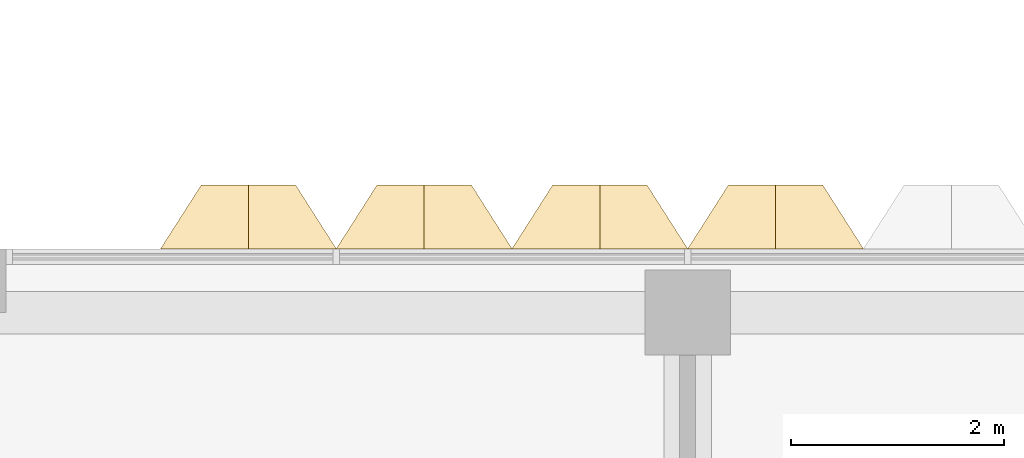
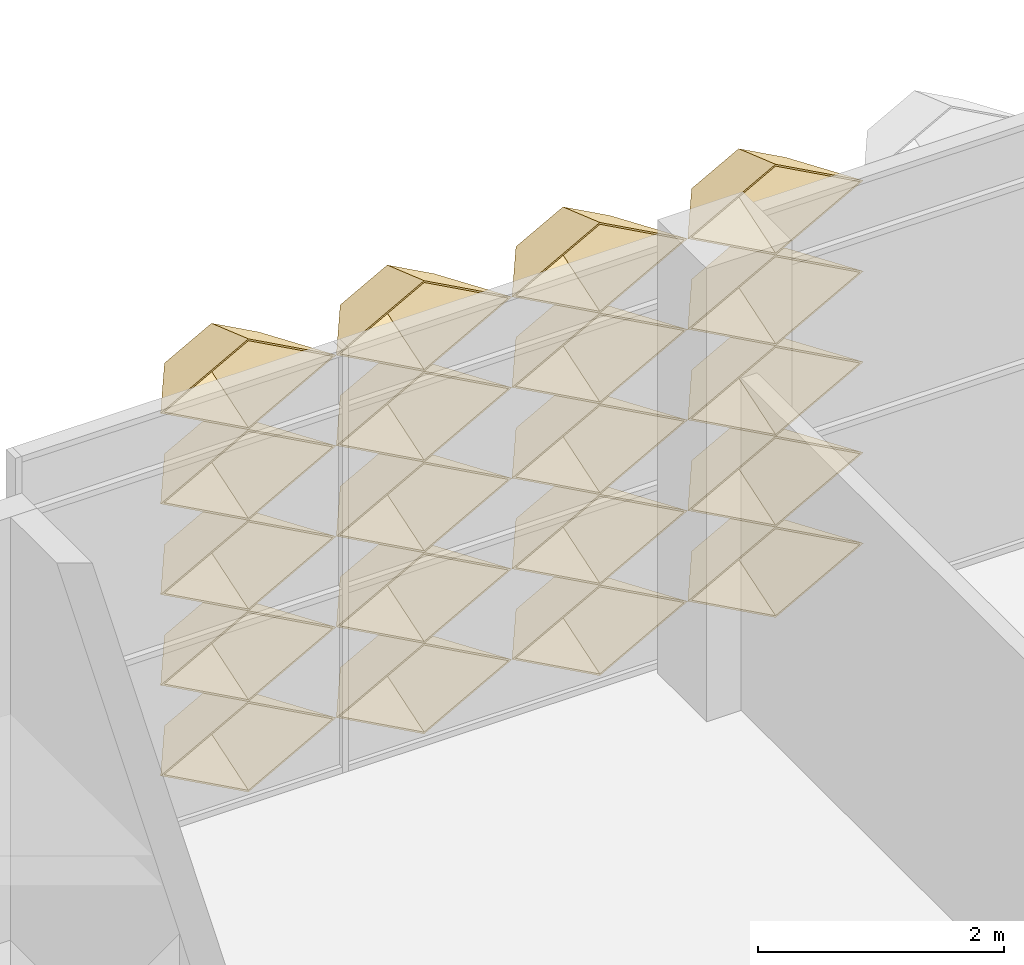
# One storey, part 49 of 87: 20 coverings.
"""IFC4 building model written with IfcOpenShell, lengths in metres."""

from ifc_helpers import new_model, entity, si_unit, direction, frame, origin, place, context, subcontext, project, spatial, material, layer, layer_set, type_object, element, save


model = new_model("IFC4")

# Units and contexts
model_context = context("Model", 3, precision=1e-05, world=origin(), true_north=direction((0.0, 1.0)))
body_context = subcontext(model_context, "Body", "Model", "MODEL_VIEW")
ifc_project = project(units=[si_unit("LENGTHUNIT", "METRE"), si_unit("AREAUNIT", "SQUARE_METRE"), si_unit("VOLUMEUNIT", "CUBIC_METRE"), si_unit("PLANEANGLEUNIT", "RADIAN"), si_unit("MASSUNIT", "GRAM", prefix="KILO")], contexts=[model_context])

# Site, building, storey
site_placement = place(None, origin())
site = spatial("IfcSite", under=ifc_project, at=site_placement, CompositionType="ELEMENT")
building_placement = place(site_placement, origin())
building = spatial("IfcBuilding", under=site, at=building_placement, Name="Lantern Court Research Institute", CompositionType="ELEMENT")
storey_placement = place(building_placement, frame((0.0, 0.0, 5.39990234375)))
storey = spatial("IfcBuildingStorey", under=building, at=storey_placement, Name="L01", CompositionType="ELEMENT", Elevation=5.39990234375)

# Coverings
ifc_material = material(Name="Anodised aluminium", Category="aluminium")
ifc_layer = layer(ifc_material, 0.01611328125)
ifc_layer_set = layer_set([ifc_layer], Name="Anodised aluminium")
covering_type = type_object("IfcCoveringType", Name="Fin cassette 1650 x 900 x 600 aluminium", PredefinedType="CLADDING", material=ifc_layer_set)
covering_1_placement = place(storey_placement, frame((9.074951171875, 23.699951171875, 0.4501953125), z_axis=(0.0, 1.0, 0.0), x_axis=(-1.0, 0.0, 0.0)))
cartesian_point_1 = entity("IfcCartesianPoint", [0.824951171875, 0.0])
cartesian_point_2 = entity("IfcCartesianPoint", [0.79150390625, 0.0])
cartesian_point_3 = entity("IfcCartesianPoint", [0.44189453125, 0.0])
cartesian_point_4 = entity("IfcCartesianPoint", [0.43359375, 0.0])
element("IfcCovering", 1, at=covering_1_placement, inside=storey, type_object=covering_type, Name="Fin cassette V4N-L01 1.6", PredefinedType="CLADDING", context=body_context, shape_type="SweptSolid", body=[
    entity("IfcExtrudedAreaSolidTapered", entity("IfcArbitraryProfileDefWithVoids", "AREA", None, entity("IfcPolyline", [cartesian_point_1, entity("IfcCartesianPoint", [0.0, 0.449951171875]), entity("IfcCartesianPoint", [-0.824951171875, 0.0]), entity("IfcCartesianPoint", [0.0, -0.449951171875]), cartesian_point_1]), [entity("IfcPolyline", [cartesian_point_2, entity("IfcCartesianPoint", [0.0, 0.431884765625]), entity("IfcCartesianPoint", [-0.79150390625, 0.0]), entity("IfcCartesianPoint", [0.0, -0.431884765625]), cartesian_point_2])]), entity("IfcAxis2Placement3D", entity("IfcCartesianPoint", [0.0, 0.0, 0.0])), entity("IfcDirection", [0.0, 0.0, 1.0]), 0.60009765625, entity("IfcArbitraryProfileDefWithVoids", "AREA", None, entity("IfcPolyline", [cartesian_point_3, entity("IfcCartesianPoint", [0.0, 0.240966796875]), entity("IfcCartesianPoint", [-0.44189453125, 0.0]), entity("IfcCartesianPoint", [0.0, -0.240966796875]), cartesian_point_3]), [entity("IfcPolyline", [cartesian_point_4, entity("IfcCartesianPoint", [0.0, 0.236572265625]), entity("IfcCartesianPoint", [-0.43359375, 0.0]), entity("IfcCartesianPoint", [0.0, -0.236572265625]), cartesian_point_4])])),
])
covering_2_placement = place(storey_placement, frame((10.72509765625, 23.699951171875, 0.4501953125), z_axis=(0.0, 1.0, 0.0), x_axis=(-1.0, 0.0, 0.0)))
cartesian_point_5 = entity("IfcCartesianPoint", [0.824951171875, 0.0])
cartesian_point_6 = entity("IfcCartesianPoint", [0.79150390625, 0.0])
cartesian_point_7 = entity("IfcCartesianPoint", [0.44189453125, 0.0])
cartesian_point_8 = entity("IfcCartesianPoint", [0.43359375, 0.0])
element("IfcCovering", 2, at=covering_2_placement, inside=storey, type_object=covering_type, Name="Fin cassette V4N-L01 1.7", PredefinedType="CLADDING", context=body_context, shape_type="SweptSolid", body=[
    entity("IfcExtrudedAreaSolidTapered", entity("IfcArbitraryProfileDefWithVoids", "AREA", None, entity("IfcPolyline", [cartesian_point_5, entity("IfcCartesianPoint", [0.0, 0.449951171875]), entity("IfcCartesianPoint", [-0.824951171875, 0.0]), entity("IfcCartesianPoint", [0.0, -0.449951171875]), cartesian_point_5]), [entity("IfcPolyline", [cartesian_point_6, entity("IfcCartesianPoint", [0.0, 0.431884765625]), entity("IfcCartesianPoint", [-0.79150390625, 0.0]), entity("IfcCartesianPoint", [0.0, -0.431884765625]), cartesian_point_6])]), entity("IfcAxis2Placement3D", entity("IfcCartesianPoint", [0.0, 0.0, 0.0])), entity("IfcDirection", [0.0, 0.0, 1.0]), 0.60009765625, entity("IfcArbitraryProfileDefWithVoids", "AREA", None, entity("IfcPolyline", [cartesian_point_7, entity("IfcCartesianPoint", [0.0, 0.240966796875]), entity("IfcCartesianPoint", [-0.44189453125, 0.0]), entity("IfcCartesianPoint", [0.0, -0.240966796875]), cartesian_point_7]), [entity("IfcPolyline", [cartesian_point_8, entity("IfcCartesianPoint", [0.0, 0.236572265625]), entity("IfcCartesianPoint", [-0.43359375, 0.0]), entity("IfcCartesianPoint", [0.0, -0.236572265625]), cartesian_point_8])])),
])
covering_3_placement = place(storey_placement, frame((12.375, 23.699951171875, 0.4501953125), z_axis=(0.0, 1.0, 0.0), x_axis=(-1.0, 0.0, 0.0)))
cartesian_point_9 = entity("IfcCartesianPoint", [0.824951171875, 0.0])
cartesian_point_10 = entity("IfcCartesianPoint", [0.79150390625, 0.0])
cartesian_point_11 = entity("IfcCartesianPoint", [0.44189453125, 0.0])
cartesian_point_12 = entity("IfcCartesianPoint", [0.43359375, 0.0])
element("IfcCovering", 3, at=covering_3_placement, inside=storey, type_object=covering_type, Name="Fin cassette V4N-L01 1.8", PredefinedType="CLADDING", context=body_context, shape_type="SweptSolid", body=[
    entity("IfcExtrudedAreaSolidTapered", entity("IfcArbitraryProfileDefWithVoids", "AREA", None, entity("IfcPolyline", [cartesian_point_9, entity("IfcCartesianPoint", [0.0, 0.449951171875]), entity("IfcCartesianPoint", [-0.824951171875, 0.0]), entity("IfcCartesianPoint", [0.0, -0.449951171875]), cartesian_point_9]), [entity("IfcPolyline", [cartesian_point_10, entity("IfcCartesianPoint", [0.0, 0.431884765625]), entity("IfcCartesianPoint", [-0.79150390625, 0.0]), entity("IfcCartesianPoint", [0.0, -0.431884765625]), cartesian_point_10])]), entity("IfcAxis2Placement3D", entity("IfcCartesianPoint", [0.0, 0.0, 0.0])), entity("IfcDirection", [0.0, 0.0, 1.0]), 0.60009765625, entity("IfcArbitraryProfileDefWithVoids", "AREA", None, entity("IfcPolyline", [cartesian_point_11, entity("IfcCartesianPoint", [0.0, 0.240966796875]), entity("IfcCartesianPoint", [-0.44189453125, 0.0]), entity("IfcCartesianPoint", [0.0, -0.240966796875]), cartesian_point_11]), [entity("IfcPolyline", [cartesian_point_12, entity("IfcCartesianPoint", [0.0, 0.236572265625]), entity("IfcCartesianPoint", [-0.43359375, 0.0]), entity("IfcCartesianPoint", [0.0, -0.236572265625]), cartesian_point_12])])),
])
covering_4_placement = place(storey_placement, frame((14.02490234375, 23.699951171875, 0.4501953125), z_axis=(0.0, 1.0, 0.0), x_axis=(-1.0, 0.0, 0.0)))
cartesian_point_13 = entity("IfcCartesianPoint", [0.824951171875, 0.0])
cartesian_point_14 = entity("IfcCartesianPoint", [0.79150390625, 0.0])
cartesian_point_15 = entity("IfcCartesianPoint", [0.44189453125, 0.0])
cartesian_point_16 = entity("IfcCartesianPoint", [0.43359375, 0.0])
element("IfcCovering", 4, at=covering_4_placement, inside=storey, type_object=covering_type, Name="Fin cassette V4N-L01 1.9", PredefinedType="CLADDING", context=body_context, shape_type="SweptSolid", body=[
    entity("IfcExtrudedAreaSolidTapered", entity("IfcArbitraryProfileDefWithVoids", "AREA", None, entity("IfcPolyline", [cartesian_point_13, entity("IfcCartesianPoint", [0.0, 0.449951171875]), entity("IfcCartesianPoint", [-0.824951171875, 0.0]), entity("IfcCartesianPoint", [0.0, -0.449951171875]), cartesian_point_13]), [entity("IfcPolyline", [cartesian_point_14, entity("IfcCartesianPoint", [0.0, 0.431884765625]), entity("IfcCartesianPoint", [-0.79150390625, 0.0]), entity("IfcCartesianPoint", [0.0, -0.431884765625]), cartesian_point_14])]), entity("IfcAxis2Placement3D", entity("IfcCartesianPoint", [0.0, 0.0, 0.0])), entity("IfcDirection", [0.0, 0.0, 1.0]), 0.60009765625, entity("IfcArbitraryProfileDefWithVoids", "AREA", None, entity("IfcPolyline", [cartesian_point_15, entity("IfcCartesianPoint", [0.0, 0.240966796875]), entity("IfcCartesianPoint", [-0.44189453125, 0.0]), entity("IfcCartesianPoint", [0.0, -0.240966796875]), cartesian_point_15]), [entity("IfcPolyline", [cartesian_point_16, entity("IfcCartesianPoint", [0.0, 0.236572265625]), entity("IfcCartesianPoint", [-0.43359375, 0.0]), entity("IfcCartesianPoint", [0.0, -0.236572265625]), cartesian_point_16])])),
])
covering_5_placement = place(storey_placement, frame((9.074951171875, 23.699951171875, 1.35009765625), z_axis=(0.0, 1.0, 0.0), x_axis=(-1.0, 0.0, 0.0)))
cartesian_point_17 = entity("IfcCartesianPoint", [0.824951171875, 0.0])
cartesian_point_18 = entity("IfcCartesianPoint", [0.79150390625, 0.0])
cartesian_point_19 = entity("IfcCartesianPoint", [0.44189453125, 0.0])
cartesian_point_20 = entity("IfcCartesianPoint", [0.43359375, 0.0])
element("IfcCovering", 5, at=covering_5_placement, inside=storey, type_object=covering_type, Name="Fin cassette V4N-L01 2.6", PredefinedType="CLADDING", context=body_context, shape_type="SweptSolid", body=[
    entity("IfcExtrudedAreaSolidTapered", entity("IfcArbitraryProfileDefWithVoids", "AREA", None, entity("IfcPolyline", [cartesian_point_17, entity("IfcCartesianPoint", [0.0, 0.449951171875]), entity("IfcCartesianPoint", [-0.824951171875, 0.0]), entity("IfcCartesianPoint", [0.0, -0.449951171875]), cartesian_point_17]), [entity("IfcPolyline", [cartesian_point_18, entity("IfcCartesianPoint", [0.0, 0.431884765625]), entity("IfcCartesianPoint", [-0.79150390625, 0.0]), entity("IfcCartesianPoint", [0.0, -0.431884765625]), cartesian_point_18])]), entity("IfcAxis2Placement3D", entity("IfcCartesianPoint", [0.0, 0.0, 0.0])), entity("IfcDirection", [0.0, 0.0, 1.0]), 0.60009765625, entity("IfcArbitraryProfileDefWithVoids", "AREA", None, entity("IfcPolyline", [cartesian_point_19, entity("IfcCartesianPoint", [0.0, 0.240966796875]), entity("IfcCartesianPoint", [-0.44189453125, 0.0]), entity("IfcCartesianPoint", [0.0, -0.240966796875]), cartesian_point_19]), [entity("IfcPolyline", [cartesian_point_20, entity("IfcCartesianPoint", [0.0, 0.236572265625]), entity("IfcCartesianPoint", [-0.43359375, 0.0]), entity("IfcCartesianPoint", [0.0, -0.236572265625]), cartesian_point_20])])),
])
covering_6_placement = place(storey_placement, frame((10.72509765625, 23.699951171875, 1.35009765625), z_axis=(0.0, 1.0, 0.0), x_axis=(-1.0, 0.0, 0.0)))
cartesian_point_21 = entity("IfcCartesianPoint", [0.824951171875, 0.0])
cartesian_point_22 = entity("IfcCartesianPoint", [0.79150390625, 0.0])
cartesian_point_23 = entity("IfcCartesianPoint", [0.44189453125, 0.0])
cartesian_point_24 = entity("IfcCartesianPoint", [0.43359375, 0.0])
element("IfcCovering", 6, at=covering_6_placement, inside=storey, type_object=covering_type, Name="Fin cassette V4N-L01 2.7", PredefinedType="CLADDING", context=body_context, shape_type="SweptSolid", body=[
    entity("IfcExtrudedAreaSolidTapered", entity("IfcArbitraryProfileDefWithVoids", "AREA", None, entity("IfcPolyline", [cartesian_point_21, entity("IfcCartesianPoint", [0.0, 0.449951171875]), entity("IfcCartesianPoint", [-0.824951171875, 0.0]), entity("IfcCartesianPoint", [0.0, -0.449951171875]), cartesian_point_21]), [entity("IfcPolyline", [cartesian_point_22, entity("IfcCartesianPoint", [0.0, 0.431884765625]), entity("IfcCartesianPoint", [-0.79150390625, 0.0]), entity("IfcCartesianPoint", [0.0, -0.431884765625]), cartesian_point_22])]), entity("IfcAxis2Placement3D", entity("IfcCartesianPoint", [0.0, 0.0, 0.0])), entity("IfcDirection", [0.0, 0.0, 1.0]), 0.60009765625, entity("IfcArbitraryProfileDefWithVoids", "AREA", None, entity("IfcPolyline", [cartesian_point_23, entity("IfcCartesianPoint", [0.0, 0.240966796875]), entity("IfcCartesianPoint", [-0.44189453125, 0.0]), entity("IfcCartesianPoint", [0.0, -0.240966796875]), cartesian_point_23]), [entity("IfcPolyline", [cartesian_point_24, entity("IfcCartesianPoint", [0.0, 0.236572265625]), entity("IfcCartesianPoint", [-0.43359375, 0.0]), entity("IfcCartesianPoint", [0.0, -0.236572265625]), cartesian_point_24])])),
])
covering_7_placement = place(storey_placement, frame((12.375, 23.699951171875, 1.35009765625), z_axis=(0.0, 1.0, 0.0), x_axis=(-1.0, 0.0, 0.0)))
cartesian_point_25 = entity("IfcCartesianPoint", [0.824951171875, 0.0])
cartesian_point_26 = entity("IfcCartesianPoint", [0.79150390625, 0.0])
cartesian_point_27 = entity("IfcCartesianPoint", [0.44189453125, 0.0])
cartesian_point_28 = entity("IfcCartesianPoint", [0.43359375, 0.0])
element("IfcCovering", 7, at=covering_7_placement, inside=storey, type_object=covering_type, Name="Fin cassette V4N-L01 2.8", PredefinedType="CLADDING", context=body_context, shape_type="SweptSolid", body=[
    entity("IfcExtrudedAreaSolidTapered", entity("IfcArbitraryProfileDefWithVoids", "AREA", None, entity("IfcPolyline", [cartesian_point_25, entity("IfcCartesianPoint", [0.0, 0.449951171875]), entity("IfcCartesianPoint", [-0.824951171875, 0.0]), entity("IfcCartesianPoint", [0.0, -0.449951171875]), cartesian_point_25]), [entity("IfcPolyline", [cartesian_point_26, entity("IfcCartesianPoint", [0.0, 0.431884765625]), entity("IfcCartesianPoint", [-0.79150390625, 0.0]), entity("IfcCartesianPoint", [0.0, -0.431884765625]), cartesian_point_26])]), entity("IfcAxis2Placement3D", entity("IfcCartesianPoint", [0.0, 0.0, 0.0])), entity("IfcDirection", [0.0, 0.0, 1.0]), 0.60009765625, entity("IfcArbitraryProfileDefWithVoids", "AREA", None, entity("IfcPolyline", [cartesian_point_27, entity("IfcCartesianPoint", [0.0, 0.240966796875]), entity("IfcCartesianPoint", [-0.44189453125, 0.0]), entity("IfcCartesianPoint", [0.0, -0.240966796875]), cartesian_point_27]), [entity("IfcPolyline", [cartesian_point_28, entity("IfcCartesianPoint", [0.0, 0.236572265625]), entity("IfcCartesianPoint", [-0.43359375, 0.0]), entity("IfcCartesianPoint", [0.0, -0.236572265625]), cartesian_point_28])])),
])
covering_8_placement = place(storey_placement, frame((14.02490234375, 23.699951171875, 1.35009765625), z_axis=(0.0, 1.0, 0.0), x_axis=(-1.0, 0.0, 0.0)))
cartesian_point_29 = entity("IfcCartesianPoint", [0.824951171875, 0.0])
cartesian_point_30 = entity("IfcCartesianPoint", [0.79150390625, 0.0])
cartesian_point_31 = entity("IfcCartesianPoint", [0.44189453125, 0.0])
cartesian_point_32 = entity("IfcCartesianPoint", [0.43359375, 0.0])
element("IfcCovering", 8, at=covering_8_placement, inside=storey, type_object=covering_type, Name="Fin cassette V4N-L01 2.9", PredefinedType="CLADDING", context=body_context, shape_type="SweptSolid", body=[
    entity("IfcExtrudedAreaSolidTapered", entity("IfcArbitraryProfileDefWithVoids", "AREA", None, entity("IfcPolyline", [cartesian_point_29, entity("IfcCartesianPoint", [0.0, 0.449951171875]), entity("IfcCartesianPoint", [-0.824951171875, 0.0]), entity("IfcCartesianPoint", [0.0, -0.449951171875]), cartesian_point_29]), [entity("IfcPolyline", [cartesian_point_30, entity("IfcCartesianPoint", [0.0, 0.431884765625]), entity("IfcCartesianPoint", [-0.79150390625, 0.0]), entity("IfcCartesianPoint", [0.0, -0.431884765625]), cartesian_point_30])]), entity("IfcAxis2Placement3D", entity("IfcCartesianPoint", [0.0, 0.0, 0.0])), entity("IfcDirection", [0.0, 0.0, 1.0]), 0.60009765625, entity("IfcArbitraryProfileDefWithVoids", "AREA", None, entity("IfcPolyline", [cartesian_point_31, entity("IfcCartesianPoint", [0.0, 0.240966796875]), entity("IfcCartesianPoint", [-0.44189453125, 0.0]), entity("IfcCartesianPoint", [0.0, -0.240966796875]), cartesian_point_31]), [entity("IfcPolyline", [cartesian_point_32, entity("IfcCartesianPoint", [0.0, 0.236572265625]), entity("IfcCartesianPoint", [-0.43359375, 0.0]), entity("IfcCartesianPoint", [0.0, -0.236572265625]), cartesian_point_32])])),
])
covering_9_placement = place(storey_placement, frame((9.074951171875, 23.699951171875, 2.25), z_axis=(0.0, 1.0, 0.0), x_axis=(-1.0, 0.0, 0.0)))
cartesian_point_33 = entity("IfcCartesianPoint", [0.824951171875, 0.0])
cartesian_point_34 = entity("IfcCartesianPoint", [0.79150390625, 0.0])
cartesian_point_35 = entity("IfcCartesianPoint", [0.44189453125, 0.0])
cartesian_point_36 = entity("IfcCartesianPoint", [0.43359375, 0.0])
element("IfcCovering", 9, at=covering_9_placement, inside=storey, type_object=covering_type, Name="Fin cassette V4N-L01 3.6", PredefinedType="CLADDING", context=body_context, shape_type="SweptSolid", body=[
    entity("IfcExtrudedAreaSolidTapered", entity("IfcArbitraryProfileDefWithVoids", "AREA", None, entity("IfcPolyline", [cartesian_point_33, entity("IfcCartesianPoint", [0.0, 0.449951171875]), entity("IfcCartesianPoint", [-0.824951171875, 0.0]), entity("IfcCartesianPoint", [0.0, -0.449951171875]), cartesian_point_33]), [entity("IfcPolyline", [cartesian_point_34, entity("IfcCartesianPoint", [0.0, 0.431884765625]), entity("IfcCartesianPoint", [-0.79150390625, 0.0]), entity("IfcCartesianPoint", [0.0, -0.431884765625]), cartesian_point_34])]), entity("IfcAxis2Placement3D", entity("IfcCartesianPoint", [0.0, 0.0, 0.0])), entity("IfcDirection", [0.0, 0.0, 1.0]), 0.60009765625, entity("IfcArbitraryProfileDefWithVoids", "AREA", None, entity("IfcPolyline", [cartesian_point_35, entity("IfcCartesianPoint", [0.0, 0.240966796875]), entity("IfcCartesianPoint", [-0.44189453125, 0.0]), entity("IfcCartesianPoint", [0.0, -0.240966796875]), cartesian_point_35]), [entity("IfcPolyline", [cartesian_point_36, entity("IfcCartesianPoint", [0.0, 0.236572265625]), entity("IfcCartesianPoint", [-0.43359375, 0.0]), entity("IfcCartesianPoint", [0.0, -0.236572265625]), cartesian_point_36])])),
])
covering_10_placement = place(storey_placement, frame((10.72509765625, 23.699951171875, 2.25), z_axis=(0.0, 1.0, 0.0), x_axis=(-1.0, 0.0, 0.0)))
cartesian_point_37 = entity("IfcCartesianPoint", [0.824951171875, 0.0])
cartesian_point_38 = entity("IfcCartesianPoint", [0.79150390625, 0.0])
cartesian_point_39 = entity("IfcCartesianPoint", [0.44189453125, 0.0])
cartesian_point_40 = entity("IfcCartesianPoint", [0.43359375, 0.0])
element("IfcCovering", 10, at=covering_10_placement, inside=storey, type_object=covering_type, Name="Fin cassette V4N-L01 3.7", PredefinedType="CLADDING", context=body_context, shape_type="SweptSolid", body=[
    entity("IfcExtrudedAreaSolidTapered", entity("IfcArbitraryProfileDefWithVoids", "AREA", None, entity("IfcPolyline", [cartesian_point_37, entity("IfcCartesianPoint", [0.0, 0.449951171875]), entity("IfcCartesianPoint", [-0.824951171875, 0.0]), entity("IfcCartesianPoint", [0.0, -0.449951171875]), cartesian_point_37]), [entity("IfcPolyline", [cartesian_point_38, entity("IfcCartesianPoint", [0.0, 0.431884765625]), entity("IfcCartesianPoint", [-0.79150390625, 0.0]), entity("IfcCartesianPoint", [0.0, -0.431884765625]), cartesian_point_38])]), entity("IfcAxis2Placement3D", entity("IfcCartesianPoint", [0.0, 0.0, 0.0])), entity("IfcDirection", [0.0, 0.0, 1.0]), 0.60009765625, entity("IfcArbitraryProfileDefWithVoids", "AREA", None, entity("IfcPolyline", [cartesian_point_39, entity("IfcCartesianPoint", [0.0, 0.240966796875]), entity("IfcCartesianPoint", [-0.44189453125, 0.0]), entity("IfcCartesianPoint", [0.0, -0.240966796875]), cartesian_point_39]), [entity("IfcPolyline", [cartesian_point_40, entity("IfcCartesianPoint", [0.0, 0.236572265625]), entity("IfcCartesianPoint", [-0.43359375, 0.0]), entity("IfcCartesianPoint", [0.0, -0.236572265625]), cartesian_point_40])])),
])
covering_11_placement = place(storey_placement, frame((12.375, 23.699951171875, 2.25), z_axis=(0.0, 1.0, 0.0), x_axis=(-1.0, 0.0, 0.0)))
cartesian_point_41 = entity("IfcCartesianPoint", [0.824951171875, 0.0])
cartesian_point_42 = entity("IfcCartesianPoint", [0.79150390625, 0.0])
cartesian_point_43 = entity("IfcCartesianPoint", [0.44189453125, 0.0])
cartesian_point_44 = entity("IfcCartesianPoint", [0.43359375, 0.0])
element("IfcCovering", 11, at=covering_11_placement, inside=storey, type_object=covering_type, Name="Fin cassette V4N-L01 3.8", PredefinedType="CLADDING", context=body_context, shape_type="SweptSolid", body=[
    entity("IfcExtrudedAreaSolidTapered", entity("IfcArbitraryProfileDefWithVoids", "AREA", None, entity("IfcPolyline", [cartesian_point_41, entity("IfcCartesianPoint", [0.0, 0.449951171875]), entity("IfcCartesianPoint", [-0.824951171875, 0.0]), entity("IfcCartesianPoint", [0.0, -0.449951171875]), cartesian_point_41]), [entity("IfcPolyline", [cartesian_point_42, entity("IfcCartesianPoint", [0.0, 0.431884765625]), entity("IfcCartesianPoint", [-0.79150390625, 0.0]), entity("IfcCartesianPoint", [0.0, -0.431884765625]), cartesian_point_42])]), entity("IfcAxis2Placement3D", entity("IfcCartesianPoint", [0.0, 0.0, 0.0])), entity("IfcDirection", [0.0, 0.0, 1.0]), 0.60009765625, entity("IfcArbitraryProfileDefWithVoids", "AREA", None, entity("IfcPolyline", [cartesian_point_43, entity("IfcCartesianPoint", [0.0, 0.240966796875]), entity("IfcCartesianPoint", [-0.44189453125, 0.0]), entity("IfcCartesianPoint", [0.0, -0.240966796875]), cartesian_point_43]), [entity("IfcPolyline", [cartesian_point_44, entity("IfcCartesianPoint", [0.0, 0.236572265625]), entity("IfcCartesianPoint", [-0.43359375, 0.0]), entity("IfcCartesianPoint", [0.0, -0.236572265625]), cartesian_point_44])])),
])
covering_12_placement = place(storey_placement, frame((14.02490234375, 23.699951171875, 2.25), z_axis=(0.0, 1.0, 0.0), x_axis=(-1.0, 0.0, 0.0)))
cartesian_point_45 = entity("IfcCartesianPoint", [0.824951171875, 0.0])
cartesian_point_46 = entity("IfcCartesianPoint", [0.79150390625, 0.0])
cartesian_point_47 = entity("IfcCartesianPoint", [0.44189453125, 0.0])
cartesian_point_48 = entity("IfcCartesianPoint", [0.43359375, 0.0])
element("IfcCovering", 12, at=covering_12_placement, inside=storey, type_object=covering_type, Name="Fin cassette V4N-L01 3.9", PredefinedType="CLADDING", context=body_context, shape_type="SweptSolid", body=[
    entity("IfcExtrudedAreaSolidTapered", entity("IfcArbitraryProfileDefWithVoids", "AREA", None, entity("IfcPolyline", [cartesian_point_45, entity("IfcCartesianPoint", [0.0, 0.449951171875]), entity("IfcCartesianPoint", [-0.824951171875, 0.0]), entity("IfcCartesianPoint", [0.0, -0.449951171875]), cartesian_point_45]), [entity("IfcPolyline", [cartesian_point_46, entity("IfcCartesianPoint", [0.0, 0.431884765625]), entity("IfcCartesianPoint", [-0.79150390625, 0.0]), entity("IfcCartesianPoint", [0.0, -0.431884765625]), cartesian_point_46])]), entity("IfcAxis2Placement3D", entity("IfcCartesianPoint", [0.0, 0.0, 0.0])), entity("IfcDirection", [0.0, 0.0, 1.0]), 0.60009765625, entity("IfcArbitraryProfileDefWithVoids", "AREA", None, entity("IfcPolyline", [cartesian_point_47, entity("IfcCartesianPoint", [0.0, 0.240966796875]), entity("IfcCartesianPoint", [-0.44189453125, 0.0]), entity("IfcCartesianPoint", [0.0, -0.240966796875]), cartesian_point_47]), [entity("IfcPolyline", [cartesian_point_48, entity("IfcCartesianPoint", [0.0, 0.236572265625]), entity("IfcCartesianPoint", [-0.43359375, 0.0]), entity("IfcCartesianPoint", [0.0, -0.236572265625]), cartesian_point_48])])),
])
covering_13_placement = place(storey_placement, frame((9.074951171875, 23.699951171875, 3.150146484375), z_axis=(0.0, 1.0, 0.0), x_axis=(-1.0, 0.0, 0.0)))
cartesian_point_49 = entity("IfcCartesianPoint", [0.824951171875, 0.0])
cartesian_point_50 = entity("IfcCartesianPoint", [0.79150390625, 0.0])
cartesian_point_51 = entity("IfcCartesianPoint", [0.44189453125, 0.0])
cartesian_point_52 = entity("IfcCartesianPoint", [0.43359375, 0.0])
element("IfcCovering", 13, at=covering_13_placement, inside=storey, type_object=covering_type, Name="Fin cassette V4N-L01 4.6", PredefinedType="CLADDING", context=body_context, shape_type="SweptSolid", body=[
    entity("IfcExtrudedAreaSolidTapered", entity("IfcArbitraryProfileDefWithVoids", "AREA", None, entity("IfcPolyline", [cartesian_point_49, entity("IfcCartesianPoint", [0.0, 0.449951171875]), entity("IfcCartesianPoint", [-0.824951171875, 0.0]), entity("IfcCartesianPoint", [0.0, -0.449951171875]), cartesian_point_49]), [entity("IfcPolyline", [cartesian_point_50, entity("IfcCartesianPoint", [0.0, 0.431884765625]), entity("IfcCartesianPoint", [-0.79150390625, 0.0]), entity("IfcCartesianPoint", [0.0, -0.431884765625]), cartesian_point_50])]), entity("IfcAxis2Placement3D", entity("IfcCartesianPoint", [0.0, 0.0, 0.0])), entity("IfcDirection", [0.0, 0.0, 1.0]), 0.60009765625, entity("IfcArbitraryProfileDefWithVoids", "AREA", None, entity("IfcPolyline", [cartesian_point_51, entity("IfcCartesianPoint", [0.0, 0.240966796875]), entity("IfcCartesianPoint", [-0.44189453125, 0.0]), entity("IfcCartesianPoint", [0.0, -0.240966796875]), cartesian_point_51]), [entity("IfcPolyline", [cartesian_point_52, entity("IfcCartesianPoint", [0.0, 0.236572265625]), entity("IfcCartesianPoint", [-0.43359375, 0.0]), entity("IfcCartesianPoint", [0.0, -0.236572265625]), cartesian_point_52])])),
])
covering_14_placement = place(storey_placement, frame((10.72509765625, 23.699951171875, 3.150146484375), z_axis=(0.0, 1.0, 0.0), x_axis=(-1.0, 0.0, 0.0)))
cartesian_point_53 = entity("IfcCartesianPoint", [0.824951171875, 0.0])
cartesian_point_54 = entity("IfcCartesianPoint", [0.79150390625, 0.0])
cartesian_point_55 = entity("IfcCartesianPoint", [0.44189453125, 0.0])
cartesian_point_56 = entity("IfcCartesianPoint", [0.43359375, 0.0])
element("IfcCovering", 14, at=covering_14_placement, inside=storey, type_object=covering_type, Name="Fin cassette V4N-L01 4.7", PredefinedType="CLADDING", context=body_context, shape_type="SweptSolid", body=[
    entity("IfcExtrudedAreaSolidTapered", entity("IfcArbitraryProfileDefWithVoids", "AREA", None, entity("IfcPolyline", [cartesian_point_53, entity("IfcCartesianPoint", [0.0, 0.449951171875]), entity("IfcCartesianPoint", [-0.824951171875, 0.0]), entity("IfcCartesianPoint", [0.0, -0.449951171875]), cartesian_point_53]), [entity("IfcPolyline", [cartesian_point_54, entity("IfcCartesianPoint", [0.0, 0.431884765625]), entity("IfcCartesianPoint", [-0.79150390625, 0.0]), entity("IfcCartesianPoint", [0.0, -0.431884765625]), cartesian_point_54])]), entity("IfcAxis2Placement3D", entity("IfcCartesianPoint", [0.0, 0.0, 0.0])), entity("IfcDirection", [0.0, 0.0, 1.0]), 0.60009765625, entity("IfcArbitraryProfileDefWithVoids", "AREA", None, entity("IfcPolyline", [cartesian_point_55, entity("IfcCartesianPoint", [0.0, 0.240966796875]), entity("IfcCartesianPoint", [-0.44189453125, 0.0]), entity("IfcCartesianPoint", [0.0, -0.240966796875]), cartesian_point_55]), [entity("IfcPolyline", [cartesian_point_56, entity("IfcCartesianPoint", [0.0, 0.236572265625]), entity("IfcCartesianPoint", [-0.43359375, 0.0]), entity("IfcCartesianPoint", [0.0, -0.236572265625]), cartesian_point_56])])),
])
covering_15_placement = place(storey_placement, frame((12.375, 23.699951171875, 3.150146484375), z_axis=(0.0, 1.0, 0.0), x_axis=(-1.0, 0.0, 0.0)))
cartesian_point_57 = entity("IfcCartesianPoint", [0.824951171875, 0.0])
cartesian_point_58 = entity("IfcCartesianPoint", [0.79150390625, 0.0])
cartesian_point_59 = entity("IfcCartesianPoint", [0.44189453125, 0.0])
cartesian_point_60 = entity("IfcCartesianPoint", [0.43359375, 0.0])
element("IfcCovering", 15, at=covering_15_placement, inside=storey, type_object=covering_type, Name="Fin cassette V4N-L01 4.8", PredefinedType="CLADDING", context=body_context, shape_type="SweptSolid", body=[
    entity("IfcExtrudedAreaSolidTapered", entity("IfcArbitraryProfileDefWithVoids", "AREA", None, entity("IfcPolyline", [cartesian_point_57, entity("IfcCartesianPoint", [0.0, 0.449951171875]), entity("IfcCartesianPoint", [-0.824951171875, 0.0]), entity("IfcCartesianPoint", [0.0, -0.449951171875]), cartesian_point_57]), [entity("IfcPolyline", [cartesian_point_58, entity("IfcCartesianPoint", [0.0, 0.431884765625]), entity("IfcCartesianPoint", [-0.79150390625, 0.0]), entity("IfcCartesianPoint", [0.0, -0.431884765625]), cartesian_point_58])]), entity("IfcAxis2Placement3D", entity("IfcCartesianPoint", [0.0, 0.0, 0.0])), entity("IfcDirection", [0.0, 0.0, 1.0]), 0.60009765625, entity("IfcArbitraryProfileDefWithVoids", "AREA", None, entity("IfcPolyline", [cartesian_point_59, entity("IfcCartesianPoint", [0.0, 0.240966796875]), entity("IfcCartesianPoint", [-0.44189453125, 0.0]), entity("IfcCartesianPoint", [0.0, -0.240966796875]), cartesian_point_59]), [entity("IfcPolyline", [cartesian_point_60, entity("IfcCartesianPoint", [0.0, 0.236572265625]), entity("IfcCartesianPoint", [-0.43359375, 0.0]), entity("IfcCartesianPoint", [0.0, -0.236572265625]), cartesian_point_60])])),
])
covering_16_placement = place(storey_placement, frame((14.02490234375, 23.699951171875, 3.150146484375), z_axis=(0.0, 1.0, 0.0), x_axis=(-1.0, 0.0, 0.0)))
cartesian_point_61 = entity("IfcCartesianPoint", [0.824951171875, 0.0])
cartesian_point_62 = entity("IfcCartesianPoint", [0.79150390625, 0.0])
cartesian_point_63 = entity("IfcCartesianPoint", [0.44189453125, 0.0])
cartesian_point_64 = entity("IfcCartesianPoint", [0.43359375, 0.0])
element("IfcCovering", 16, at=covering_16_placement, inside=storey, type_object=covering_type, Name="Fin cassette V4N-L01 4.9", PredefinedType="CLADDING", context=body_context, shape_type="SweptSolid", body=[
    entity("IfcExtrudedAreaSolidTapered", entity("IfcArbitraryProfileDefWithVoids", "AREA", None, entity("IfcPolyline", [cartesian_point_61, entity("IfcCartesianPoint", [0.0, 0.449951171875]), entity("IfcCartesianPoint", [-0.824951171875, 0.0]), entity("IfcCartesianPoint", [0.0, -0.449951171875]), cartesian_point_61]), [entity("IfcPolyline", [cartesian_point_62, entity("IfcCartesianPoint", [0.0, 0.431884765625]), entity("IfcCartesianPoint", [-0.79150390625, 0.0]), entity("IfcCartesianPoint", [0.0, -0.431884765625]), cartesian_point_62])]), entity("IfcAxis2Placement3D", entity("IfcCartesianPoint", [0.0, 0.0, 0.0])), entity("IfcDirection", [0.0, 0.0, 1.0]), 0.60009765625, entity("IfcArbitraryProfileDefWithVoids", "AREA", None, entity("IfcPolyline", [cartesian_point_63, entity("IfcCartesianPoint", [0.0, 0.240966796875]), entity("IfcCartesianPoint", [-0.44189453125, 0.0]), entity("IfcCartesianPoint", [0.0, -0.240966796875]), cartesian_point_63]), [entity("IfcPolyline", [cartesian_point_64, entity("IfcCartesianPoint", [0.0, 0.236572265625]), entity("IfcCartesianPoint", [-0.43359375, 0.0]), entity("IfcCartesianPoint", [0.0, -0.236572265625]), cartesian_point_64])])),
])
covering_17_placement = place(storey_placement, frame((9.074951171875, 23.699951171875, 4.050048828125), z_axis=(0.0, 1.0, 0.0), x_axis=(-1.0, 0.0, 0.0)))
cartesian_point_65 = entity("IfcCartesianPoint", [0.824951171875, 0.0])
cartesian_point_66 = entity("IfcCartesianPoint", [0.79150390625, 0.0])
cartesian_point_67 = entity("IfcCartesianPoint", [0.44189453125, 0.0])
cartesian_point_68 = entity("IfcCartesianPoint", [0.43359375, 0.0])
element("IfcCovering", 17, at=covering_17_placement, inside=storey, type_object=covering_type, Name="Fin cassette V4N-L01 5.6", PredefinedType="CLADDING", context=body_context, shape_type="SweptSolid", body=[
    entity("IfcExtrudedAreaSolidTapered", entity("IfcArbitraryProfileDefWithVoids", "AREA", None, entity("IfcPolyline", [cartesian_point_65, entity("IfcCartesianPoint", [0.0, 0.449951171875]), entity("IfcCartesianPoint", [-0.824951171875, 0.0]), entity("IfcCartesianPoint", [0.0, -0.449951171875]), cartesian_point_65]), [entity("IfcPolyline", [cartesian_point_66, entity("IfcCartesianPoint", [0.0, 0.431884765625]), entity("IfcCartesianPoint", [-0.79150390625, 0.0]), entity("IfcCartesianPoint", [0.0, -0.431884765625]), cartesian_point_66])]), entity("IfcAxis2Placement3D", entity("IfcCartesianPoint", [0.0, 0.0, 0.0])), entity("IfcDirection", [0.0, 0.0, 1.0]), 0.60009765625, entity("IfcArbitraryProfileDefWithVoids", "AREA", None, entity("IfcPolyline", [cartesian_point_67, entity("IfcCartesianPoint", [0.0, 0.240966796875]), entity("IfcCartesianPoint", [-0.44189453125, 0.0]), entity("IfcCartesianPoint", [0.0, -0.240966796875]), cartesian_point_67]), [entity("IfcPolyline", [cartesian_point_68, entity("IfcCartesianPoint", [0.0, 0.236572265625]), entity("IfcCartesianPoint", [-0.43359375, 0.0]), entity("IfcCartesianPoint", [0.0, -0.236572265625]), cartesian_point_68])])),
])
covering_18_placement = place(storey_placement, frame((10.72509765625, 23.699951171875, 4.050048828125), z_axis=(0.0, 1.0, 0.0), x_axis=(-1.0, 0.0, 0.0)))
cartesian_point_69 = entity("IfcCartesianPoint", [0.824951171875, 0.0])
cartesian_point_70 = entity("IfcCartesianPoint", [0.79150390625, 0.0])
cartesian_point_71 = entity("IfcCartesianPoint", [0.44189453125, 0.0])
cartesian_point_72 = entity("IfcCartesianPoint", [0.43359375, 0.0])
element("IfcCovering", 18, at=covering_18_placement, inside=storey, type_object=covering_type, Name="Fin cassette V4N-L01 5.7", PredefinedType="CLADDING", context=body_context, shape_type="SweptSolid", body=[
    entity("IfcExtrudedAreaSolidTapered", entity("IfcArbitraryProfileDefWithVoids", "AREA", None, entity("IfcPolyline", [cartesian_point_69, entity("IfcCartesianPoint", [0.0, 0.449951171875]), entity("IfcCartesianPoint", [-0.824951171875, 0.0]), entity("IfcCartesianPoint", [0.0, -0.449951171875]), cartesian_point_69]), [entity("IfcPolyline", [cartesian_point_70, entity("IfcCartesianPoint", [0.0, 0.431884765625]), entity("IfcCartesianPoint", [-0.79150390625, 0.0]), entity("IfcCartesianPoint", [0.0, -0.431884765625]), cartesian_point_70])]), entity("IfcAxis2Placement3D", entity("IfcCartesianPoint", [0.0, 0.0, 0.0])), entity("IfcDirection", [0.0, 0.0, 1.0]), 0.60009765625, entity("IfcArbitraryProfileDefWithVoids", "AREA", None, entity("IfcPolyline", [cartesian_point_71, entity("IfcCartesianPoint", [0.0, 0.240966796875]), entity("IfcCartesianPoint", [-0.44189453125, 0.0]), entity("IfcCartesianPoint", [0.0, -0.240966796875]), cartesian_point_71]), [entity("IfcPolyline", [cartesian_point_72, entity("IfcCartesianPoint", [0.0, 0.236572265625]), entity("IfcCartesianPoint", [-0.43359375, 0.0]), entity("IfcCartesianPoint", [0.0, -0.236572265625]), cartesian_point_72])])),
])
covering_19_placement = place(storey_placement, frame((12.375, 23.699951171875, 4.050048828125), z_axis=(0.0, 1.0, 0.0), x_axis=(-1.0, 0.0, 0.0)))
cartesian_point_73 = entity("IfcCartesianPoint", [0.824951171875, 0.0])
cartesian_point_74 = entity("IfcCartesianPoint", [0.79150390625, 0.0])
cartesian_point_75 = entity("IfcCartesianPoint", [0.44189453125, 0.0])
cartesian_point_76 = entity("IfcCartesianPoint", [0.43359375, 0.0])
element("IfcCovering", 19, at=covering_19_placement, inside=storey, type_object=covering_type, Name="Fin cassette V4N-L01 5.8", PredefinedType="CLADDING", context=body_context, shape_type="SweptSolid", body=[
    entity("IfcExtrudedAreaSolidTapered", entity("IfcArbitraryProfileDefWithVoids", "AREA", None, entity("IfcPolyline", [cartesian_point_73, entity("IfcCartesianPoint", [0.0, 0.449951171875]), entity("IfcCartesianPoint", [-0.824951171875, 0.0]), entity("IfcCartesianPoint", [0.0, -0.449951171875]), cartesian_point_73]), [entity("IfcPolyline", [cartesian_point_74, entity("IfcCartesianPoint", [0.0, 0.431884765625]), entity("IfcCartesianPoint", [-0.79150390625, 0.0]), entity("IfcCartesianPoint", [0.0, -0.431884765625]), cartesian_point_74])]), entity("IfcAxis2Placement3D", entity("IfcCartesianPoint", [0.0, 0.0, 0.0])), entity("IfcDirection", [0.0, 0.0, 1.0]), 0.60009765625, entity("IfcArbitraryProfileDefWithVoids", "AREA", None, entity("IfcPolyline", [cartesian_point_75, entity("IfcCartesianPoint", [0.0, 0.240966796875]), entity("IfcCartesianPoint", [-0.44189453125, 0.0]), entity("IfcCartesianPoint", [0.0, -0.240966796875]), cartesian_point_75]), [entity("IfcPolyline", [cartesian_point_76, entity("IfcCartesianPoint", [0.0, 0.236572265625]), entity("IfcCartesianPoint", [-0.43359375, 0.0]), entity("IfcCartesianPoint", [0.0, -0.236572265625]), cartesian_point_76])])),
])
covering_20_placement = place(storey_placement, frame((14.02490234375, 23.699951171875, 4.050048828125), z_axis=(0.0, 1.0, 0.0), x_axis=(-1.0, 0.0, 0.0)))
cartesian_point_77 = entity("IfcCartesianPoint", [0.824951171875, 0.0])
cartesian_point_78 = entity("IfcCartesianPoint", [0.79150390625, 0.0])
cartesian_point_79 = entity("IfcCartesianPoint", [0.44189453125, 0.0])
cartesian_point_80 = entity("IfcCartesianPoint", [0.43359375, 0.0])
element("IfcCovering", 20, at=covering_20_placement, inside=storey, type_object=covering_type, Name="Fin cassette V4N-L01 5.9", PredefinedType="CLADDING", context=body_context, shape_type="SweptSolid", body=[
    entity("IfcExtrudedAreaSolidTapered", entity("IfcArbitraryProfileDefWithVoids", "AREA", None, entity("IfcPolyline", [cartesian_point_77, entity("IfcCartesianPoint", [0.0, 0.449951171875]), entity("IfcCartesianPoint", [-0.824951171875, 0.0]), entity("IfcCartesianPoint", [0.0, -0.449951171875]), cartesian_point_77]), [entity("IfcPolyline", [cartesian_point_78, entity("IfcCartesianPoint", [0.0, 0.431884765625]), entity("IfcCartesianPoint", [-0.79150390625, 0.0]), entity("IfcCartesianPoint", [0.0, -0.431884765625]), cartesian_point_78])]), entity("IfcAxis2Placement3D", entity("IfcCartesianPoint", [0.0, 0.0, 0.0])), entity("IfcDirection", [0.0, 0.0, 1.0]), 0.60009765625, entity("IfcArbitraryProfileDefWithVoids", "AREA", None, entity("IfcPolyline", [cartesian_point_79, entity("IfcCartesianPoint", [0.0, 0.240966796875]), entity("IfcCartesianPoint", [-0.44189453125, 0.0]), entity("IfcCartesianPoint", [0.0, -0.240966796875]), cartesian_point_79]), [entity("IfcPolyline", [cartesian_point_80, entity("IfcCartesianPoint", [0.0, 0.236572265625]), entity("IfcCartesianPoint", [-0.43359375, 0.0]), entity("IfcCartesianPoint", [0.0, -0.236572265625]), cartesian_point_80])])),
])

save(model, "model.ifc")
